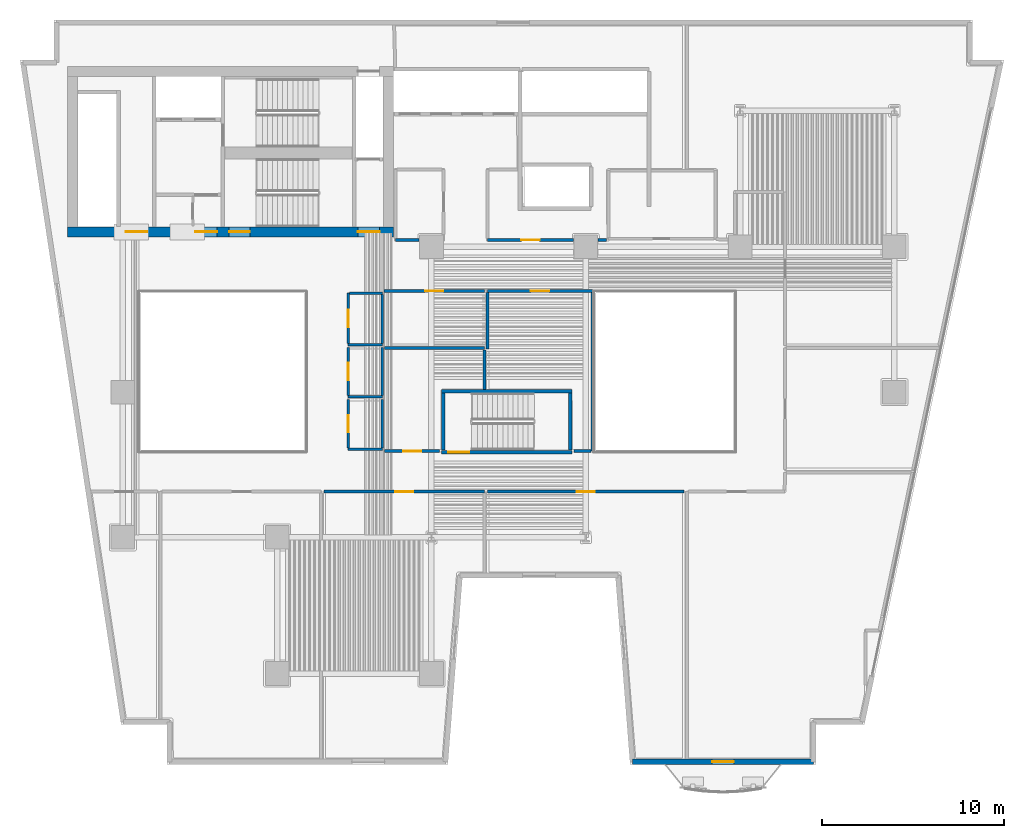
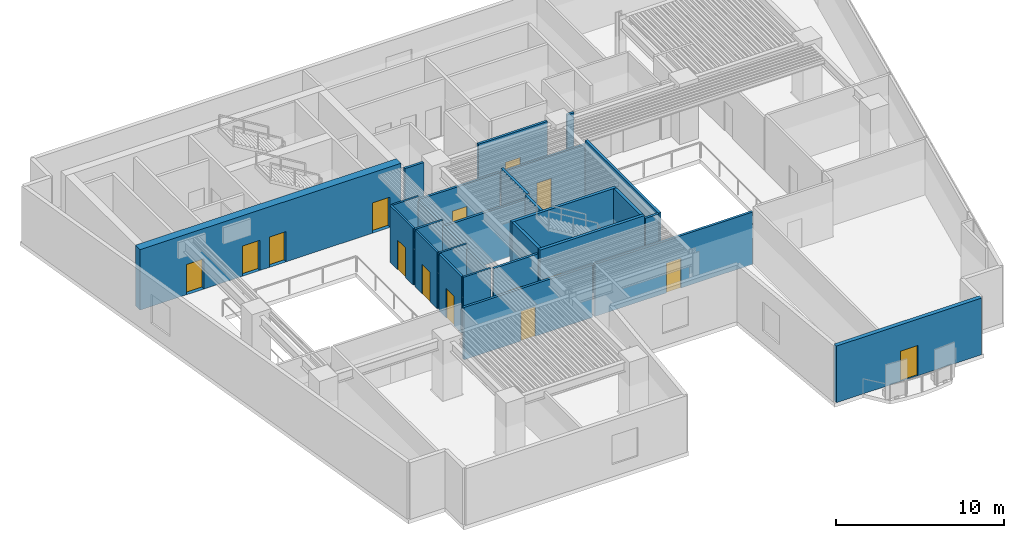
# One storey, part 4 of 12: 29 walls, 15 doors, 15 openings.
"""IFC4 building model written with IfcOpenShell, lengths in metres."""

from ifc_helpers import new_model, si_unit, direction, frame, frame_2d, origin, place, context, subcontext, project, spatial, rectangle, extrude, material, layer, layer_set, type_object, element, fill, save


model = new_model("IFC4")

# Units and contexts
model_context = context("Model", 3, precision=1e-05, world=origin(), true_north=direction((0.0, 1.0)))
body_context = subcontext(model_context, "Body", "Model", "MODEL_VIEW")
ifc_project = project(units=[si_unit("LENGTHUNIT", "METRE"), si_unit("AREAUNIT", "SQUARE_METRE"), si_unit("VOLUMEUNIT", "CUBIC_METRE"), si_unit("PLANEANGLEUNIT", "RADIAN"), si_unit("MASSUNIT", "GRAM", prefix="KILO")], contexts=[model_context])

# Site, building, storey
site_placement = place(None, origin())
site = spatial("IfcSite", under=ifc_project, at=site_placement, CompositionType="ELEMENT")
building_placement = place(site_placement, origin())
building = spatial("IfcBuilding", under=site, at=building_placement, Name="Caeloran Harvest Quay", CompositionType="ELEMENT")
storey_placement = place(building_placement, frame((0.0, 0.0, 79.800048828125)))
storey = spatial("IfcBuildingStorey", under=building, at=storey_placement, Name="L18", CompositionType="ELEMENT", Elevation=79.800048828125)

# Wall, opening, door
ifc_material_1 = material(Name="Precast concrete C50/60", Category="concrete")
ifc_layer_1 = layer(ifc_material_1, 0.280029296875, Name="Precast concrete C50/60")
ifc_layer_set_1 = layer_set([ifc_layer_1], Name="Precast concrete C50/60")
wall_type_1 = type_object("IfcWallType", Name="ENV-WALL-EW-280", PredefinedType="STANDARD", material=ifc_layer_set_1)
wall_1_placement = place(storey_placement, frame((46.547119140625, 2.639892578125, 0.0), z_axis=(0.0, 0.0, 1.0), x_axis=(-1.0, 0.0, 0.0)))
wall_1 = element("IfcWall", 1, at=wall_1_placement, inside=storey, type_object=wall_type_1, Name="L18 Exterior Precast Concrete Facade Wall 12", PredefinedType="STANDARD", context=body_context, shape_type="SweptSolid", body=[
    extrude(rectangle(XDim=9.97705078125, YDim=0.280029296875, at=frame_2d((4.988525390625, 0.0))), origin(), (0.0, 0.0, 1.0), 4.114990234375),
])
opening_1_placement = place(wall_1_placement, frame((4.387939453125, 0.0, 0.0)))
opening_1 = element("IfcOpeningElement", 2, at=opening_1_placement, cuts=wall_1, Name="Opening BD-01", PredefinedType="OPENING", context=body_context, shape_type="SweptSolid", body=[
    extrude(rectangle(XDim=1.199951171875, YDim=2.199951171875, at=frame_2d((0.60009765625, 1.10009765625))), frame((0.0, 0.14990234375, 0.0), z_axis=(0.0, -1.0, 0.0), x_axis=(1.0, 0.0, 0.0)), (0.0, 0.0, 1.0), 0.300048828125),
])
ifc_material_2 = material(Name="Thermally Broken Powder-Coated Aluminium and Safety Glass", Category="aluminium")
door_type_1 = type_object("IfcDoorType", Name="EXTDOOR-BD-01", OperationType="NOTDEFINED", PredefinedType="DOOR", material=ifc_material_2)
door_1_placement = place(opening_1_placement, origin())
door_1 = element("IfcDoor", 3, at=door_1_placement, inside=storey, type_object=door_type_1, Name="L18 Planted Balcony Glazed Access Door", OperationType="SINGLE_SWING_LEFT", OverallHeight=2.199951171875, OverallWidth=1.199951171875, PredefinedType="DOOR", context=body_context, shape_type="SweptSolid", body=[
    extrude(rectangle(XDim=1.199951171875, YDim=2.199951171875, at=frame_2d((0.60009765625, 1.10009765625))), frame((0.0, 0.02490234375, 0.0), z_axis=(0.0, -1.0, 0.0), x_axis=(1.0, 0.0, 0.0)), (0.0, 0.0, 1.0), 0.050048828125),
])
fill(opening_1, door_1)

# Wall
ifc_material_3 = material(Name="Moisture-Resistant Cement-Board Sanitary Partition", Category="gypsum")
ifc_layer_2 = layer(ifc_material_3, 0.139892578125, Name="Moisture-Resistant Cement-Board Sanitary Partition")
ifc_layer_set_2 = layer_set([ifc_layer_2], Name="Moisture-Resistant Cement-Board Sanitary Partition")
wall_type_2 = type_object("IfcWallType", Name="INT-WALL-PW-140", PredefinedType="PARTITIONING", material=ifc_layer_set_2)
wall_2_placement = place(storey_placement, frame((22.800048828125, 25.60009765625, 0.0), z_axis=(0.0, 0.0, 1.0), x_axis=(-1.0, 0.0, 0.0)))
element("IfcWall", 4, at=wall_2_placement, inside=storey, type_object=wall_type_2, Name="L18 Male Washroom WC Partition Wall", PredefinedType="PARTITIONING", context=body_context, shape_type="SweptSolid", body=[
    extrude(rectangle(XDim=1.89013671875, YDim=0.139892578125, at=frame_2d((0.945068359375, 0.0))), origin(), (0.0, 0.0, 1.0), 4.114990234375),
])

# Wall, opening, door
wall_3_placement = place(storey_placement, frame((20.909912109375, 25.675048828125, 0.0), z_axis=(0.0, 0.0, 1.0), x_axis=(0.0, 1.0, 0.0)))
wall_3 = element("IfcWall", 5, at=wall_3_placement, inside=storey, type_object=wall_type_2, Name="L18 Male Washroom WC Partition Wall", PredefinedType="PARTITIONING", context=body_context, shape_type="SweptSolid", body=[
    extrude(rectangle(XDim=2.77490234375, YDim=0.139892578125, at=frame_2d((1.387451171875, 0.0))), origin(), (0.0, 0.0, 1.0), 4.114990234375),
])
opening_2_placement = place(wall_3_placement, frame((0.91259765625, 0.0, 0.0)))
opening_2 = element("IfcOpeningElement", 6, at=opening_2_placement, cuts=wall_3, Name="Opening WC-01", PredefinedType="OPENING", context=body_context, shape_type="SweptSolid", body=[
    extrude(rectangle(XDim=0.949951171875, YDim=2.14990234375, at=frame_2d((0.47509765625, 1.074951171875))), frame((0.0, 0.080078125, 0.0), z_axis=(0.0, -1.0, 0.0), x_axis=(1.0, 0.0, 0.0)), (0.0, 0.0, 1.0), 0.159912109375),
])
ifc_material_4 = material(Name="High-Pressure Laminate Moisture-Resistant Timber", Category="wood")
door_type_2 = type_object("IfcDoorType", Name="INTDOOR-WC-01", OperationType="NOTDEFINED", PredefinedType="DOOR", material=ifc_material_4)
door_2_placement = place(opening_2_placement, origin())
door_2 = element("IfcDoor", 7, at=door_2_placement, inside=storey, type_object=door_type_2, Name="L18 Male Washroom WC Access Door", OperationType="SINGLE_SWING_RIGHT", OverallHeight=2.14990234375, OverallWidth=0.949951171875, PredefinedType="DOOR", context=body_context, shape_type="SweptSolid", body=[
    extrude(rectangle(XDim=0.949951171875, YDim=2.14990234375, at=frame_2d((0.47509765625, 1.074951171875))), frame((0.0, 0.02490234375, 0.0), z_axis=(0.0, -1.0, 0.0), x_axis=(1.0, 0.0, 0.0)), (0.0, 0.0, 1.0), 0.050048828125),
])
fill(opening_2, door_2)

# Walls
wall_4_placement = place(storey_placement, frame((20.985107421875, 28.449951171875, 0.0), z_axis=(0.0, 0.0, 1.0), x_axis=(1.0, 0.0, 0.0)))
element("IfcWall", 8, at=wall_4_placement, inside=storey, type_object=wall_type_2, Name="L18 Male Washroom WC Partition Wall", PredefinedType="PARTITIONING", context=body_context, shape_type="SweptSolid", body=[
    extrude(rectangle(XDim=1.81494140625, YDim=0.139892578125, at=frame_2d((0.907470703125, 0.0))), origin(), (0.0, 0.0, 1.0), 4.114990234375),
])
wall_5_placement = place(storey_placement, frame((22.800048828125, 28.375, 0.0), z_axis=(0.0, 0.0, 1.0), x_axis=(0.0, -1.0, 0.0)))
element("IfcWall", 9, at=wall_5_placement, inside=storey, type_object=wall_type_2, Name="L18 Male Washroom WC Partition Wall", PredefinedType="PARTITIONING", context=body_context, shape_type="SweptSolid", body=[
    extrude(rectangle(XDim=2.699951171875, YDim=0.139892578125, at=frame_2d((1.35009765625, 0.0))), origin(), (0.0, 0.0, 1.0), 3.800048828125),
])
wall_6_placement = place(storey_placement, frame((22.800048828125, 22.75, 0.0), z_axis=(0.0, 0.0, 1.0), x_axis=(-1.0, 0.0, 0.0)))
element("IfcWall", 10, at=wall_6_placement, inside=storey, type_object=wall_type_2, Name="L18 Female Washroom WC Partition Wall", PredefinedType="PARTITIONING", context=body_context, shape_type="SweptSolid", body=[
    extrude(rectangle(XDim=1.89013671875, YDim=0.139892578125, at=frame_2d((0.945068359375, 0.0))), origin(), (0.0, 0.0, 1.0), 4.114990234375),
])

# Wall, opening, door
wall_7_placement = place(storey_placement, frame((20.909912109375, 22.824951171875, 0.0), z_axis=(0.0, 0.0, 1.0), x_axis=(0.0, 1.0, 0.0)))
wall_7 = element("IfcWall", 11, at=wall_7_placement, inside=storey, type_object=wall_type_2, Name="L18 Female Washroom WC Partition Wall", PredefinedType="PARTITIONING", context=body_context, shape_type="SweptSolid", body=[
    extrude(rectangle(XDim=2.625, YDim=0.139892578125, at=frame_2d((1.3125, 0.0))), origin(), (0.0, 0.0, 1.0), 4.114990234375),
])
opening_3_placement = place(wall_7_placement, frame((0.83740234375, 0.0, 0.0)))
opening_3 = element("IfcOpeningElement", 12, at=opening_3_placement, cuts=wall_7, Name="Opening WC-01", PredefinedType="OPENING", context=body_context, shape_type="SweptSolid", body=[
    extrude(rectangle(XDim=0.949951171875, YDim=2.14990234375, at=frame_2d((0.47509765625, 1.074951171875))), frame((0.0, 0.080078125, 0.0), z_axis=(0.0, -1.0, 0.0), x_axis=(1.0, 0.0, 0.0)), (0.0, 0.0, 1.0), 0.159912109375),
])
door_3_placement = place(opening_3_placement, origin())
door_3 = element("IfcDoor", 13, at=door_3_placement, inside=storey, type_object=door_type_2, Name="L18 Female Washroom WC Access Door", OperationType="SINGLE_SWING_LEFT", OverallHeight=2.14990234375, OverallWidth=0.949951171875, PredefinedType="DOOR", context=body_context, shape_type="SweptSolid", body=[
    extrude(rectangle(XDim=0.949951171875, YDim=2.14990234375, at=frame_2d((0.47509765625, 1.074951171875))), frame((0.0, 0.02490234375, 0.0), z_axis=(0.0, -1.0, 0.0), x_axis=(1.0, 0.0, 0.0)), (0.0, 0.0, 1.0), 0.050048828125),
])
fill(opening_3, door_3)

# Walls
wall_8_placement = place(storey_placement, frame((22.800048828125, 25.449951171875, 0.0), z_axis=(0.0, 0.0, 1.0), x_axis=(0.0, -1.0, 0.0)))
element("IfcWall", 14, at=wall_8_placement, inside=storey, type_object=wall_type_2, Name="L18 Female Washroom WC Partition Wall", PredefinedType="PARTITIONING", context=body_context, shape_type="SweptSolid", body=[
    extrude(rectangle(XDim=2.625, YDim=0.139892578125, at=frame_2d((1.3125, 0.0))), origin(), (0.0, 0.0, 1.0), 3.800048828125),
])
wall_9_placement = place(storey_placement, frame((22.800048828125, 19.85009765625, 0.0), z_axis=(0.0, 0.0, 1.0), x_axis=(-1.0, 0.0, 0.0)))
element("IfcWall", 15, at=wall_9_placement, inside=storey, type_object=wall_type_2, Name="L18 Accessible Unisex Washroom WC Partition Wall", PredefinedType="PARTITIONING", context=body_context, shape_type="SweptSolid", body=[
    extrude(rectangle(XDim=1.89013671875, YDim=0.139892578125, at=frame_2d((0.945068359375, 0.0))), origin(), (0.0, 0.0, 1.0), 4.114990234375),
])

# Wall, opening, door
wall_10_placement = place(storey_placement, frame((20.909912109375, 19.925048828125, 0.0), z_axis=(0.0, 0.0, 1.0), x_axis=(0.0, 1.0, 0.0)))
wall_10 = element("IfcWall", 16, at=wall_10_placement, inside=storey, type_object=wall_type_2, Name="L18 Accessible Unisex Washroom WC Partition Wall", PredefinedType="PARTITIONING", context=body_context, shape_type="SweptSolid", body=[
    extrude(rectangle(XDim=2.675048828125, YDim=0.139892578125, at=frame_2d((1.33740234375, 0.0))), origin(), (0.0, 0.0, 1.0), 4.114990234375),
])
opening_4_placement = place(wall_10_placement, frame((0.862548828125, 0.0, 0.0)))
opening_4 = element("IfcOpeningElement", 17, at=opening_4_placement, cuts=wall_10, Name="Opening WC-01", PredefinedType="OPENING", context=body_context, shape_type="SweptSolid", body=[
    extrude(rectangle(XDim=0.949951171875, YDim=2.14990234375, at=frame_2d((0.47509765625, 1.074951171875))), frame((0.0, 0.080078125, 0.0), z_axis=(0.0, -1.0, 0.0), x_axis=(1.0, 0.0, 0.0)), (0.0, 0.0, 1.0), 0.159912109375),
])
door_4_placement = place(opening_4_placement, origin())
door_4 = element("IfcDoor", 18, at=door_4_placement, inside=storey, type_object=door_type_2, Name="L18 Accessible Unisex Washroom WC Access Door", OperationType="SINGLE_SWING_RIGHT", OverallHeight=2.14990234375, OverallWidth=0.949951171875, PredefinedType="DOOR", context=body_context, shape_type="SweptSolid", body=[
    extrude(rectangle(XDim=0.949951171875, YDim=2.14990234375, at=frame_2d((0.47509765625, 1.074951171875))), frame((0.0, 0.02490234375, 0.0), z_axis=(0.0, -1.0, 0.0), x_axis=(1.0, 0.0, 0.0)), (0.0, 0.0, 1.0), 0.050048828125),
])
fill(opening_4, door_4)

# Wall
wall_11_placement = place(storey_placement, frame((22.800048828125, 22.60009765625, 0.0), z_axis=(0.0, 0.0, 1.0), x_axis=(0.0, -1.0, 0.0)))
element("IfcWall", 19, at=wall_11_placement, inside=storey, type_object=wall_type_2, Name="L18 Accessible Unisex Washroom WC Partition Wall", PredefinedType="PARTITIONING", context=body_context, shape_type="SweptSolid", body=[
    extrude(rectangle(XDim=2.675048828125, YDim=0.139892578125, at=frame_2d((1.33740234375, 0.0))), origin(), (0.0, 0.0, 1.0), 3.800048828125),
])

# Wall, opening, door
ifc_material_5 = material(Name="Autoclaved Aerated Concrete Blockwork", Category="masonry")
ifc_layer_3 = layer(ifc_material_5, 0.1650390625, Name="Autoclaved Aerated Concrete Blockwork")
ifc_layer_set_3 = layer_set([ifc_layer_3], Name="Autoclaved Aerated Concrete Blockwork")
wall_type_3 = type_object("IfcWallType", Name="INT-WALL-PW-165", PredefinedType="PARTITIONING", material=ifc_layer_set_3)
wall_12_placement = place(storey_placement, frame((19.580078125, 17.52001953125, 0.0), z_axis=(0.0, 0.0, 1.0), x_axis=(1.0, 0.0, 0.0)))
wall_12 = element("IfcWall", 20, at=wall_12_placement, inside=storey, type_object=wall_type_3, Name="Botanical Workshop Studio Partition Wall", PredefinedType="PARTITIONING", context=body_context, shape_type="SweptSolid", body=[
    extrude(rectangle(XDim=8.83984375, YDim=0.1650390625, at=frame_2d((4.419921875, 0.0))), origin(), (0.0, 0.0, 1.0), 3.800048828125),
])
opening_5_placement = place(wall_12_placement, frame((3.919921875, 0.0, 0.0)))
opening_5 = element("IfcOpeningElement", 21, at=opening_5_placement, cuts=wall_12, Name="Opening ID-01", PredefinedType="OPENING", context=body_context, shape_type="SweptSolid", body=[
    extrude(rectangle(XDim=1.0, YDim=2.14990234375, at=frame_2d((0.5, 1.074951171875))), frame((0.0, 0.092529296875, 0.0), z_axis=(0.0, -1.0, 0.0), x_axis=(1.0, 0.0, 0.0)), (0.0, 0.0, 1.0), 0.18505859375),
])
ifc_material_6 = material(Name="FSC Solid-Core Ash Timber and Acoustic Seal", Category="wood")
door_type_3 = type_object("IfcDoorType", Name="INTDOOR-ID-01", OperationType="NOTDEFINED", PredefinedType="DOOR", material=ifc_material_6)
door_5_placement = place(opening_5_placement, origin())
door_5 = element("IfcDoor", 22, at=door_5_placement, inside=storey, type_object=door_type_3, Name="Botanical Workshop Studio Access Door", OperationType="SINGLE_SWING_RIGHT", OverallHeight=2.14990234375, OverallWidth=1.0, PredefinedType="DOOR", context=body_context, shape_type="SweptSolid", body=[
    extrude(rectangle(XDim=1.0, YDim=2.14990234375, at=frame_2d((0.5, 1.074951171875))), frame((0.0, 0.02490234375, 0.0), z_axis=(0.0, -1.0, 0.0), x_axis=(1.0, 0.0, 0.0)), (0.0, 0.0, 1.0), 0.050048828125),
])
fill(opening_5, door_5)

wall_13_placement = place(storey_placement, frame((28.580078125, 17.52001953125, 0.0), z_axis=(0.0, 0.0, 1.0), x_axis=(1.0, 0.0, 0.0)))
wall_13 = element("IfcWall", 23, at=wall_13_placement, inside=storey, type_object=wall_type_3, Name="Seed Library Reading Lounge Partition Wall", PredefinedType="PARTITIONING", context=body_context, shape_type="SweptSolid", body=[
    extrude(rectangle(XDim=10.83984375, YDim=0.1650390625, at=frame_2d((5.419921875, 0.0))), origin(), (0.0, 0.0, 1.0), 3.800048828125),
])
opening_6_placement = place(wall_13_placement, frame((4.919921875, 0.0, 0.0)))
opening_6 = element("IfcOpeningElement", 24, at=opening_6_placement, cuts=wall_13, Name="Opening ID-01", PredefinedType="OPENING", context=body_context, shape_type="SweptSolid", body=[
    extrude(rectangle(XDim=1.0, YDim=2.14990234375, at=frame_2d((0.5, 1.074951171875))), frame((0.0, 0.092529296875, 0.0), z_axis=(0.0, -1.0, 0.0), x_axis=(1.0, 0.0, 0.0)), (0.0, 0.0, 1.0), 0.18505859375),
])
door_6_placement = place(opening_6_placement, origin())
door_6 = element("IfcDoor", 25, at=door_6_placement, inside=storey, type_object=door_type_3, Name="Seed Library Reading Lounge Access Door", OperationType="SINGLE_SWING_LEFT", OverallHeight=2.14990234375, OverallWidth=1.0, PredefinedType="DOOR", context=body_context, shape_type="SweptSolid", body=[
    extrude(rectangle(XDim=1.0, YDim=2.14990234375, at=frame_2d((0.5, 1.074951171875))), frame((0.0, 0.02490234375, 0.0), z_axis=(0.0, -1.0, 0.0), x_axis=(1.0, 0.0, 0.0)), (0.0, 0.0, 1.0), 0.050048828125),
])
fill(opening_6, door_6)

wall_14_placement = place(storey_placement, frame((25.95556640625, 19.75, 0.0), z_axis=(0.0, 0.0, 1.0), x_axis=(-1.0, 0.0, 0.0)))
wall_14 = element("IfcWall", 26, at=wall_14_placement, inside=storey, type_object=wall_type_3, Name="Tasting Salon Lounge Partition Wall", PredefinedType="PARTITIONING", context=body_context, shape_type="SweptSolid", body=[
    extrude(rectangle(XDim=3.045654296875, YDim=0.1650390625, at=frame_2d((1.52294921875, 0.0))), origin(), (0.0, 0.0, 1.0), 4.114990234375),
])
opening_7_placement = place(wall_14_placement, frame((1.022705078125, 0.0, 0.0)))
opening_7 = element("IfcOpeningElement", 27, at=opening_7_placement, cuts=wall_14, Name="Opening ID-01", PredefinedType="OPENING", context=body_context, shape_type="SweptSolid", body=[
    extrude(rectangle(XDim=1.0, YDim=2.14990234375, at=frame_2d((0.5, 1.074951171875))), frame((0.0, 0.092529296875, 0.0), z_axis=(0.0, -1.0, 0.0), x_axis=(1.0, 0.0, 0.0)), (0.0, 0.0, 1.0), 0.18505859375),
])
door_7_placement = place(opening_7_placement, origin())
door_7 = element("IfcDoor", 28, at=door_7_placement, inside=storey, type_object=door_type_3, Name="Tasting Salon Lounge Access Door", OperationType="SINGLE_SWING_LEFT", OverallHeight=2.14990234375, OverallWidth=1.0, PredefinedType="DOOR", context=body_context, shape_type="SweptSolid", body=[
    extrude(rectangle(XDim=1.0, YDim=2.14990234375, at=frame_2d((0.5, 1.074951171875))), frame((0.0, 0.02490234375, 0.0), z_axis=(0.0, -1.0, 0.0), x_axis=(1.0, 0.0, 0.0)), (0.0, 0.0, 1.0), 0.050048828125),
])
fill(opening_7, door_7)

# Walls
wall_15_placement = place(storey_placement, frame((22.909912109375, 25.419921875, 0.0), z_axis=(0.0, 0.0, 1.0), x_axis=(1.0, 0.0, 0.0)))
element("IfcWall", 29, at=wall_15_placement, inside=storey, type_object=wall_type_3, Name="Tasting Salon Lounge Partition Wall", PredefinedType="PARTITIONING", context=body_context, shape_type="SweptSolid", body=[
    extrude(rectangle(XDim=5.510009765625, YDim=0.1650390625, at=frame_2d((2.7548828125, 0.0))), origin(), (0.0, 0.0, 1.0), 3.800048828125),
])
wall_16_placement = place(storey_placement, frame((28.419921875, 25.33251953125, 0.0), z_axis=(0.0, 0.0, 1.0), x_axis=(0.0, -1.0, 0.0)))
element("IfcWall", 30, at=wall_16_placement, inside=storey, type_object=wall_type_3, Name="Tasting Salon Lounge Partition Wall", PredefinedType="PARTITIONING", context=body_context, shape_type="SweptSolid", body=[
    extrude(rectangle(XDim=2.177490234375, YDim=0.1650390625, at=frame_2d((1.0888671875, 0.0))), origin(), (0.0, 0.0, 1.0), 4.114990234375),
])

# Wall, opening, door
wall_17_placement = place(storey_placement, frame((28.580078125, 28.570068359375, 0.0), z_axis=(0.0, 0.0, 1.0), x_axis=(1.0, 0.0, 0.0)))
wall_17 = element("IfcWall", 31, at=wall_17_placement, inside=storey, type_object=wall_type_3, Name="Culinary Harvest Tasting Kitchen 8 Partition Wall", PredefinedType="PARTITIONING", context=body_context, shape_type="SweptSolid", body=[
    extrude(rectangle(XDim=5.7900390625, YDim=0.1650390625, at=frame_2d((2.89501953125, 0.0))), origin(), (0.0, 0.0, 1.0), 3.800048828125),
])
opening_8_placement = place(wall_17_placement, frame((2.39501953125, 0.0, 0.0)))
opening_8 = element("IfcOpeningElement", 32, at=opening_8_placement, cuts=wall_17, Name="Opening ID-01", PredefinedType="OPENING", context=body_context, shape_type="SweptSolid", body=[
    extrude(rectangle(XDim=1.0, YDim=2.14990234375, at=frame_2d((0.5, 1.074951171875))), frame((0.0, 0.092529296875, 0.0), z_axis=(0.0, -1.0, 0.0), x_axis=(1.0, 0.0, 0.0)), (0.0, 0.0, 1.0), 0.18505859375),
])
door_8_placement = place(opening_8_placement, origin())
door_8 = element("IfcDoor", 33, at=door_8_placement, inside=storey, type_object=door_type_3, Name="Culinary Harvest Tasting Kitchen 8 Access Door", OperationType="SINGLE_SWING_RIGHT", OverallHeight=2.14990234375, OverallWidth=1.0, PredefinedType="DOOR", context=body_context, shape_type="SweptSolid", body=[
    extrude(rectangle(XDim=1.0, YDim=2.14990234375, at=frame_2d((0.5, 1.074951171875))), frame((0.0, 0.02490234375, 0.0), z_axis=(0.0, -1.0, 0.0), x_axis=(1.0, 0.0, 0.0)), (0.0, 0.0, 1.0), 0.050048828125),
])
fill(opening_8, door_8)

# Walls
wall_18_placement = place(storey_placement, frame((34.3701171875, 28.482421875, 0.0), z_axis=(0.0, 0.0, 1.0), x_axis=(0.0, -1.0, 0.0)))
element("IfcWall", 34, at=wall_18_placement, inside=storey, type_object=wall_type_3, Name="Culinary Harvest Tasting Kitchen 8 Partition Wall", PredefinedType="PARTITIONING", context=body_context, shape_type="SweptSolid", body=[
    extrude(rectangle(XDim=8.732421875, YDim=0.1650390625, at=frame_2d((4.3662109375, 0.0))), origin(), (0.0, 0.0, 1.0), 4.114990234375),
])
wall_19_placement = place(storey_placement, frame((34.282470703125, 19.75, 0.0), z_axis=(0.0, 0.0, 1.0), x_axis=(-1.0, 0.0, 0.0)))
element("IfcWall", 35, at=wall_19_placement, inside=storey, type_object=wall_type_3, Name="Culinary Harvest Tasting Kitchen 8 Partition Wall", PredefinedType="PARTITIONING", context=body_context, shape_type="SweptSolid", body=[
    extrude(rectangle(XDim=0.93798828125, YDim=0.1650390625, at=frame_2d((0.468994140625, 0.0))), origin(), (0.0, 0.0, 1.0), 4.114990234375),
])
wall_20_placement = place(storey_placement, frame((28.580078125, 25.386474609375, 0.0), z_axis=(0.0, 0.0, 1.0), x_axis=(0.0, 1.0, 0.0)))
element("IfcWall", 36, at=wall_20_placement, inside=storey, type_object=wall_type_3, Name="Culinary Harvest Tasting Kitchen 8 Partition Wall", PredefinedType="PARTITIONING", context=body_context, shape_type="SweptSolid", body=[
    extrude(rectangle(XDim=3.095947265625, YDim=0.1650390625, at=frame_2d((1.5478515625, 0.0))), origin(), (0.0, 0.0, 1.0), 4.114990234375),
])

# Wall, opening, door
wall_21_placement = place(storey_placement, frame((22.889892578125, 28.570068359375, 0.0), z_axis=(0.0, 0.0, 1.0), x_axis=(1.0, 0.0, 0.0)))
wall_21 = element("IfcWall", 37, at=wall_21_placement, inside=storey, type_object=wall_type_3, Name="Botanical Workshop Studio 9 Partition Wall", PredefinedType="PARTITIONING", context=body_context, shape_type="SweptSolid", body=[
    extrude(rectangle(XDim=5.530029296875, YDim=0.1650390625, at=frame_2d((2.76513671875, 0.0))), origin(), (0.0, 0.0, 1.0), 3.800048828125),
])
opening_9_placement = place(wall_21_placement, frame((2.264892578125, 0.0, 0.0)))
opening_9 = element("IfcOpeningElement", 38, at=opening_9_placement, cuts=wall_21, Name="Opening ID-01", PredefinedType="OPENING", context=body_context, shape_type="SweptSolid", body=[
    extrude(rectangle(XDim=1.0, YDim=2.14990234375, at=frame_2d((0.5, 1.074951171875))), frame((0.0, 0.092529296875, 0.0), z_axis=(0.0, -1.0, 0.0), x_axis=(1.0, 0.0, 0.0)), (0.0, 0.0, 1.0), 0.18505859375),
])
door_9_placement = place(opening_9_placement, origin())
door_9 = element("IfcDoor", 39, at=door_9_placement, inside=storey, type_object=door_type_3, Name="Botanical Workshop Studio 9 Access Door", OperationType="SINGLE_SWING_LEFT", OverallHeight=2.14990234375, OverallWidth=1.0, PredefinedType="DOOR", context=body_context, shape_type="SweptSolid", body=[
    extrude(rectangle(XDim=1.0, YDim=2.14990234375, at=frame_2d((0.5, 1.074951171875))), frame((0.0, 0.02490234375, 0.0), z_axis=(0.0, -1.0, 0.0), x_axis=(1.0, 0.0, 0.0)), (0.0, 0.0, 1.0), 0.050048828125),
])
fill(opening_9, door_9)

# Walls
wall_22_placement = place(storey_placement, frame((24.824951171875, 31.3798828125, 0.0), z_axis=(0.0, 0.0, 1.0), x_axis=(-1.0, 0.0, 0.0)))
element("IfcWall", 40, at=wall_22_placement, inside=storey, type_object=wall_type_3, Name="Sensory Fermentation Kitchen 10 Partition Wall", PredefinedType="PARTITIONING", context=body_context, shape_type="SweptSolid", body=[
    extrude(rectangle(XDim=1.31494140625, YDim=0.1650390625, at=frame_2d((0.657470703125, 0.0))), origin(), (0.0, 0.0, 1.0), 4.114990234375),
])
wall_23_placement = place(storey_placement, frame((35.155517578125, 31.3798828125, 0.0), z_axis=(0.0, 0.0, 1.0), x_axis=(-1.0, 0.0, 0.0)))
element("IfcWall", 41, at=wall_23_placement, inside=storey, type_object=wall_type_3, Name="Seed Library Reading Lounge 12 Partition Wall", PredefinedType="PARTITIONING", context=body_context, shape_type="SweptSolid", body=[
    extrude(rectangle(XDim=0.48046875, YDim=0.1650390625, at=frame_2d((0.240234375, 0.0))), origin(), (0.0, 0.0, 1.0), 4.114990234375),
])

# Wall, opening, door
wall_24_placement = place(storey_placement, frame((33.324951171875, 31.3798828125, 0.0), z_axis=(0.0, 0.0, 1.0), x_axis=(-1.0, 0.0, 0.0)))
wall_24 = element("IfcWall", 42, at=wall_24_placement, inside=storey, type_object=wall_type_3, Name="Seed Library Reading Lounge 12 Partition Wall", PredefinedType="PARTITIONING", context=body_context, shape_type="SweptSolid", body=[
    extrude(rectangle(XDim=4.744873046875, YDim=0.1650390625, at=frame_2d((2.37255859375, 0.0))), origin(), (0.0, 0.0, 1.0), 4.114990234375),
])
opening_10_placement = place(wall_24_placement, frame((1.87255859375, 0.0, 0.0)))
opening_10 = element("IfcOpeningElement", 43, at=opening_10_placement, cuts=wall_24, Name="Opening ID-01", PredefinedType="OPENING", context=body_context, shape_type="SweptSolid", body=[
    extrude(rectangle(XDim=1.0, YDim=2.14990234375, at=frame_2d((0.5, 1.074951171875))), frame((0.0, 0.092529296875, 0.0), z_axis=(0.0, -1.0, 0.0), x_axis=(1.0, 0.0, 0.0)), (0.0, 0.0, 1.0), 0.18505859375),
])
door_10_placement = place(opening_10_placement, origin())
door_10 = element("IfcDoor", 44, at=door_10_placement, inside=storey, type_object=door_type_3, Name="Seed Library Reading Lounge 12 Access Door", OperationType="SINGLE_SWING_LEFT", OverallHeight=2.14990234375, OverallWidth=1.0, PredefinedType="DOOR", context=body_context, shape_type="SweptSolid", body=[
    extrude(rectangle(XDim=1.0, YDim=2.14990234375, at=frame_2d((0.5, 1.074951171875))), frame((0.0, 0.02490234375, 0.0), z_axis=(0.0, -1.0, 0.0), x_axis=(1.0, 0.0, 0.0)), (0.0, 0.0, 1.0), 0.050048828125),
])
fill(opening_10, door_10)

# Wall, openings, doors
ifc_material_7 = material(Name="Concrete C80/95", Category="concrete")
ifc_layer_4 = layer(ifc_material_7, 0.550048828125, Name="Concrete C80/95")
ifc_layer_set_4 = layer_set([ifc_layer_4], Name="Concrete C80/95")
wall_type_4 = type_object("IfcWallType", Name="STR-WALL-CW-550", PredefinedType="SHEAR", material=ifc_layer_set_4)
wall_25_placement = place(storey_placement, frame((5.449951171875, 31.824951171875, 0.0), z_axis=(0.0, 0.0, 1.0), x_axis=(1.0, 0.0, 0.0)))
wall_25 = element("IfcWall", 45, at=wall_25_placement, inside=storey, type_object=wall_type_4, Name="L18 Rear Core Shear Wall S", PredefinedType="SHEAR", context=body_context, shape_type="SweptSolid", body=[
    extrude(rectangle(XDim=17.949951171875, YDim=0.550048828125, at=frame_2d((8.97509765625, 0.0))), origin(), (0.0, 0.0, 1.0), 4.39990234375),
])
opening_11_placement = place(wall_25_placement, frame((3.199951171875, 0.0, 0.0)))
opening_11 = element("IfcOpeningElement", 46, at=opening_11_placement, cuts=wall_25, Name="Opening FD-01", PredefinedType="OPENING", context=body_context, shape_type="SweptSolid", body=[
    extrude(rectangle(XDim=1.199951171875, YDim=2.199951171875, at=frame_2d((0.60009765625, 1.10009765625))), frame((0.0, 0.28515625, 0.0), z_axis=(0.0, -1.0, 0.0), x_axis=(1.0, 0.0, 0.0)), (0.0, 0.0, 1.0), 0.570068359375),
])
opening_12_placement = place(wall_25_placement, frame((7.050048828125, 0.0, 0.0)))
opening_12 = element("IfcOpeningElement", 47, at=opening_12_placement, cuts=wall_25, Name="Opening FD-01", PredefinedType="OPENING", context=body_context, shape_type="SweptSolid", body=[
    extrude(rectangle(XDim=1.199951171875, YDim=2.199951171875, at=frame_2d((0.60009765625, 1.10009765625))), frame((0.0, 0.28515625, 0.0), z_axis=(0.0, -1.0, 0.0), x_axis=(1.0, 0.0, 0.0)), (0.0, 0.0, 1.0), 0.570068359375),
])
opening_13_placement = place(wall_25_placement, frame((8.89990234375, 0.0, 0.0)))
opening_13 = element("IfcOpeningElement", 48, at=opening_13_placement, cuts=wall_25, Name="Opening SD-01", PredefinedType="OPENING", context=body_context, shape_type="SweptSolid", body=[
    extrude(rectangle(XDim=1.14990234375, YDim=2.199951171875, at=frame_2d((0.574951171875, 1.10009765625))), frame((0.0, 0.28515625, 0.0), z_axis=(0.0, -1.0, 0.0), x_axis=(1.0, 0.0, 0.0)), (0.0, 0.0, 1.0), 0.570068359375),
])
opening_14_placement = place(wall_25_placement, frame((16.0, 0.0, 0.0)))
opening_14 = element("IfcOpeningElement", 49, at=opening_14_placement, cuts=wall_25, Name="Opening FD-01", PredefinedType="OPENING", context=body_context, shape_type="SweptSolid", body=[
    extrude(rectangle(XDim=1.199951171875, YDim=2.199951171875, at=frame_2d((0.60009765625, 1.10009765625))), frame((0.0, 0.28515625, 0.0), z_axis=(0.0, -1.0, 0.0), x_axis=(1.0, 0.0, 0.0)), (0.0, 0.0, 1.0), 0.570068359375),
])
ifc_material_8 = material(Name="Steel", Category="steel")
door_type_4 = type_object("IfcDoorType", Name="INTDOOR-FD-01", OperationType="NOTDEFINED", PredefinedType="DOOR", material=ifc_material_8)
door_11_placement = place(opening_11_placement, origin())
door_11 = element("IfcDoor", 50, at=door_11_placement, inside=storey, type_object=door_type_4, Name="L18 High-Rise Lift Lobby Fire Door", OperationType="SINGLE_SWING_LEFT", OverallHeight=2.199951171875, OverallWidth=1.199951171875, PredefinedType="DOOR", context=body_context, shape_type="SweptSolid", body=[
    extrude(rectangle(XDim=1.199951171875, YDim=2.199951171875, at=frame_2d((0.60009765625, 1.10009765625))), frame((0.0, 0.02490234375, 0.0), z_axis=(0.0, -1.0, 0.0), x_axis=(1.0, 0.0, 0.0)), (0.0, 0.0, 1.0), 0.050048828125),
])
fill(opening_11, door_11)
door_12_placement = place(opening_12_placement, origin())
door_12 = element("IfcDoor", 51, at=door_12_placement, inside=storey, type_object=door_type_4, Name="L18 Firefighting Lobby Vestibule Fire Door", OperationType="SINGLE_SWING_RIGHT", OverallHeight=2.199951171875, OverallWidth=1.199951171875, PredefinedType="DOOR", context=body_context, shape_type="SweptSolid", body=[
    extrude(rectangle(XDim=1.199951171875, YDim=2.199951171875, at=frame_2d((0.60009765625, 1.10009765625))), frame((0.0, 0.02490234375, 0.0), z_axis=(0.0, -1.0, 0.0), x_axis=(1.0, 0.0, 0.0)), (0.0, 0.0, 1.0), 0.050048828125),
])
fill(opening_12, door_12)
door_13_placement = place(opening_14_placement, origin())
door_13 = element("IfcDoor", 52, at=door_13_placement, inside=storey, type_object=door_type_4, Name="L18 Service Lift Lobby Fire Door", OperationType="SINGLE_SWING_RIGHT", OverallHeight=2.199951171875, OverallWidth=1.199951171875, PredefinedType="DOOR", context=body_context, shape_type="SweptSolid", body=[
    extrude(rectangle(XDim=1.199951171875, YDim=2.199951171875, at=frame_2d((0.60009765625, 1.10009765625))), frame((0.0, 0.02490234375, 0.0), z_axis=(0.0, -1.0, 0.0), x_axis=(1.0, 0.0, 0.0)), (0.0, 0.0, 1.0), 0.050048828125),
])
fill(opening_14, door_13)
door_type_5 = type_object("IfcDoorType", Name="INTDOOR-SD-01", OperationType="NOTDEFINED", PredefinedType="DOOR", material=ifc_material_8)
door_14_placement = place(opening_13_placement, origin())
door_14 = element("IfcDoor", 53, at=door_14_placement, inside=storey, type_object=door_type_5, Name="L18 Protected Stair ST-C2 Exit Door", OperationType="SINGLE_SWING_LEFT", OverallHeight=2.199951171875, OverallWidth=1.14990234375, PredefinedType="DOOR", context=body_context, shape_type="SweptSolid", body=[
    extrude(rectangle(XDim=1.14990234375, YDim=2.199951171875, at=frame_2d((0.574951171875, 1.10009765625))), frame((0.0, 0.02490234375, 0.0), z_axis=(0.0, -1.0, 0.0), x_axis=(1.0, 0.0, 0.0)), (0.0, 0.0, 1.0), 0.050048828125),
])
fill(opening_13, door_14)

# Wall, opening, door
ifc_material_9 = material(Name="Concrete C60/75", Category="concrete")
ifc_layer_5 = layer(ifc_material_9, 0.199951171875, Name="Concrete C60/75")
ifc_layer_set_5 = layer_set([ifc_layer_5], Name="Concrete C60/75")
wall_type_5 = type_object("IfcWallType", Name="STR-WALL-SW-200", PredefinedType="SHEAR", material=ifc_layer_set_5)
wall_26_placement = place(storey_placement, frame((26.050048828125, 19.699951171875, 0.0), z_axis=(0.0, 0.0, 1.0), x_axis=(1.0, 0.0, 0.0)))
wall_26 = element("IfcWall", 54, at=wall_26_placement, inside=storey, type_object=wall_type_5, Name="L18 Stair ST-W1 S RC Shaft Shear Wall", PredefinedType="SHEAR", context=body_context, shape_type="SweptSolid", body=[
    extrude(rectangle(XDim=7.199951171875, YDim=0.199951171875, at=frame_2d((3.60009765625, 0.0))), origin(), (0.0, 0.0, 1.0), 4.39990234375),
])
opening_15_placement = place(wall_26_placement, frame((0.3798828125, 0.0, 0.0)))
opening_15 = element("IfcOpeningElement", 55, at=opening_15_placement, cuts=wall_26, Name="Opening SD-01", PredefinedType="OPENING", context=body_context, shape_type="SweptSolid", body=[
    extrude(rectangle(XDim=1.14990234375, YDim=2.199951171875, at=frame_2d((0.574951171875, 1.10009765625))), frame((0.0, 0.10986328125, 0.0), z_axis=(0.0, -1.0, 0.0), x_axis=(1.0, 0.0, 0.0)), (0.0, 0.0, 1.0), 0.219970703125),
])
door_15_placement = place(opening_15_placement, origin())
door_15 = element("IfcDoor", 56, at=door_15_placement, inside=storey, type_object=door_type_5, Name="L18 Protected Exit Stair ST-W1 Fire Door", OperationType="SINGLE_SWING_RIGHT", OverallHeight=2.199951171875, OverallWidth=1.14990234375, PredefinedType="DOOR", context=body_context, shape_type="SweptSolid", body=[
    extrude(rectangle(XDim=1.14990234375, YDim=2.199951171875, at=frame_2d((0.574951171875, 1.10009765625))), frame((0.0, 0.02490234375, 0.0), z_axis=(0.0, -1.0, 0.0), x_axis=(1.0, 0.0, 0.0)), (0.0, 0.0, 1.0), 0.050048828125),
])
fill(opening_15, door_15)

# Walls
wall_27_placement = place(storey_placement, frame((26.050048828125, 23.050048828125, 0.0), z_axis=(0.0, 0.0, 1.0), x_axis=(1.0, 0.0, 0.0)))
element("IfcWall", 57, at=wall_27_placement, inside=storey, type_object=wall_type_5, Name="L18 Stair ST-W1 N RC Shaft Shear Wall", PredefinedType="SHEAR", context=body_context, shape_type="SweptSolid", body=[
    extrude(rectangle(XDim=7.199951171875, YDim=0.199951171875, at=frame_2d((3.60009765625, 0.0))), origin(), (0.0, 0.0, 1.0), 4.39990234375),
])
for number, where, z_axis, x_axis, name in (
    (58, (26.14990234375, 19.81005859375, 0.0), (0.0, 0.0, 1.0), (0.0, 1.0, 0.0), "L18 Stair ST-W1 W RC Shaft Shear Wall"),
    (59, (33.14990234375, 19.81005859375, 0.0), (0.0, 0.0, 1.0), (0.0, 1.0, 0.0), "L18 Stair ST-W1 E RC Shaft Shear Wall"),
):
    element("IfcWall", number, at=place(storey_placement, frame(where, z_axis=z_axis, x_axis=x_axis)), inside=storey, type_object=wall_type_5, Name=name, PredefinedType="SHEAR", context=body_context, shape_type="SweptSolid", body=[
        extrude(rectangle(XDim=3.1298828125, YDim=0.199951171875, at=frame_2d((1.56494140625, 0.0))), origin(), (0.0, 0.0, 1.0), 4.39990234375),
    ])

save(model, "model.ifc")
